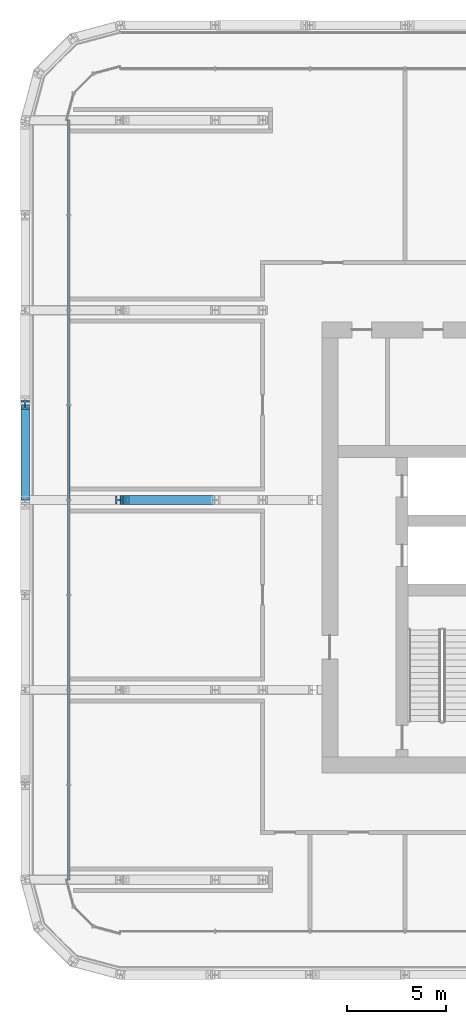
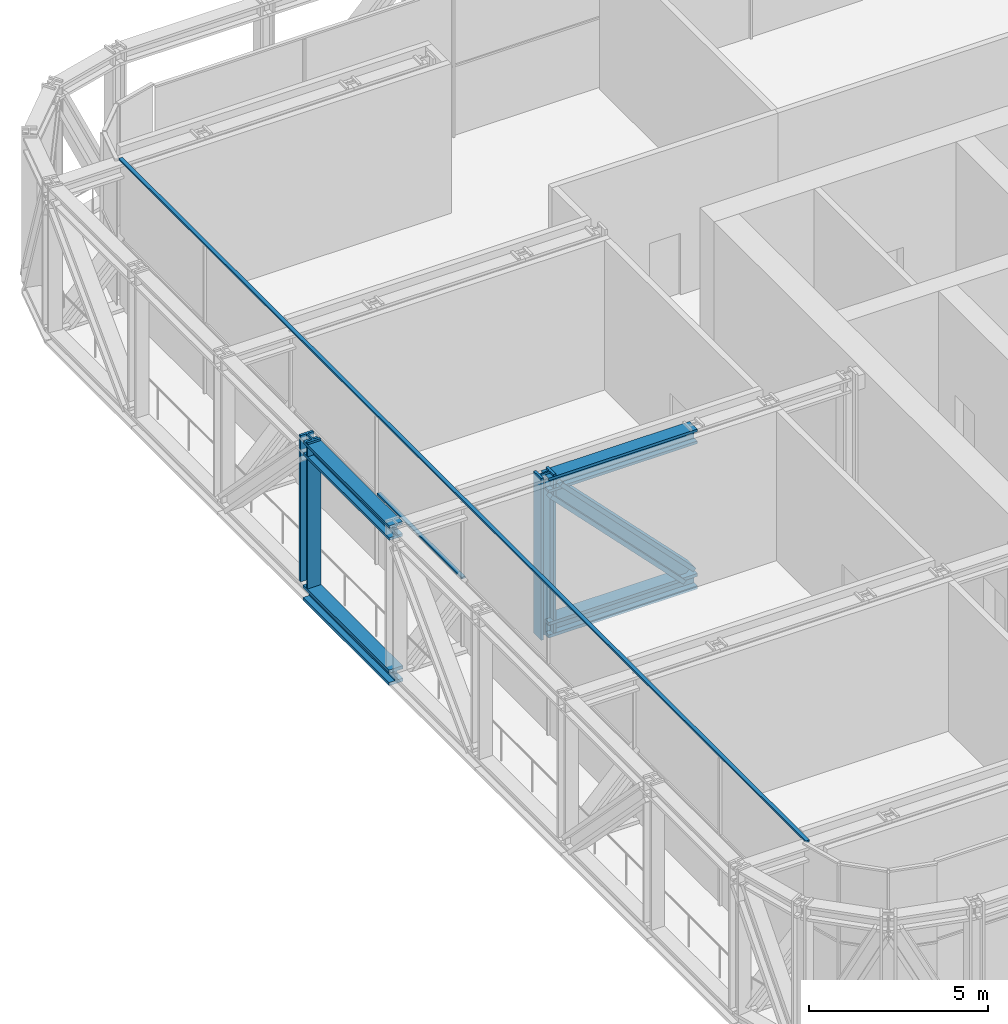
# One storey, part 5 of 25: 9 members, 1 element without a shape of its own.
"""IFC4 building model written with IfcOpenShell, lengths in metres."""

from ifc_helpers import new_model, si_unit, direction, frame, origin, origin_2d, place, context, subcontext, project, spatial, rectangle, i_section, extrude, material, layer, layer_set, material_profile, profile_set, type_object, element, aggregate, save


model = new_model("IFC4")

# Units and contexts
model_context = context("Model", 3, precision=1e-05, world=origin(), true_north=direction((0.0, 1.0)))
body_context = subcontext(model_context, "Body", "Model", "MODEL_VIEW")
ifc_project = project(units=[si_unit("LENGTHUNIT", "METRE"), si_unit("AREAUNIT", "SQUARE_METRE"), si_unit("VOLUMEUNIT", "CUBIC_METRE"), si_unit("PLANEANGLEUNIT", "RADIAN"), si_unit("MASSUNIT", "GRAM", prefix="KILO")], contexts=[model_context])

# Site, building, storey
site_placement = place(None, origin())
site = spatial("IfcSite", under=ifc_project, at=site_placement, CompositionType="ELEMENT")
building_placement = place(site_placement, origin())
building = spatial("IfcBuilding", under=site, at=building_placement, Name="Madar Terraces", CompositionType="ELEMENT")
storey_placement = place(building_placement, frame((0.0, 0.0, 113.699951171875)))
storey = spatial("IfcBuildingStorey", under=building, at=storey_placement, Name="L29", CompositionType="ELEMENT", Elevation=113.699951171875)

# Members
ifc_material_1 = material(Name="Steel ASTM A913 Grade 65", Category="steel")
ifc_material_profile_1 = material_profile(ifc_material_1, i_section(OverallWidth=0.44189453125, OverallDepth=0.53076171875, WebThickness=0.06591796875, FlangeThickness=0.105712890625, at=origin_2d()), Name="W14x605")
ifc_profile_set_1 = profile_set([ifc_material_profile_1], Name="Steel ASTM A913 Grade 65")
member_type_1 = type_object("IfcMemberType", Name="BC4 W14x605", PredefinedType="CHORD", material=ifc_profile_set_1)
for number, where, z_axis, x_axis, name in (
    (1, (0.0, 33.60009765625, -0.154541015625), (0.0, -1.0, 0.0), (1.0, 0.0, 0.0), "Exoskeleton truss ring bottom chord BC4"),
    (2, (4.800048828125, 28.800048828125, -0.154541015625), (1.0, 0.0, 0.0), (0.0, 1.0, 0.0), "Exoskeleton truss cross W28.8 bottom chord BC4"),
):
    element("IfcMember", number, at=place(storey_placement, frame(where, z_axis=z_axis, x_axis=x_axis)), inside=storey, type_object=member_type_1, Name=name, PredefinedType="CHORD", context=body_context, shape_type="SweptSolid", body=[
        extrude(i_section(OverallWidth=0.44189453125, OverallDepth=0.53076171875, WebThickness=0.06591796875, FlangeThickness=0.105712890625, at=origin_2d()), origin(), (0.0, 0.0, 1.0), 4.800048828125),
    ])

# Curtain wall, members
ifc_material_2 = material(Name="Glass, ceramic frit dark grey, with black aluminium frame", Category="aluminium")
ifc_layer = layer(ifc_material_2, 0.199951171875)
ifc_layer_set = layer_set([ifc_layer], Name="Facade curtain wall, tall glazing")
curtain_wall_type = type_object("IfcCurtainWallType", Name="Facade curtain wall, tall glazing", PredefinedType="NOTDEFINED", material=ifc_layer_set)
curtain_wall_placement = place(storey_placement, origin())
curtain_wall = element("IfcCurtainWall", 3, at=curtain_wall_placement, inside=storey, type_object=curtain_wall_type, Name="Outer skin curtain wall west bay 1", PredefinedType="NOTDEFINED")
ifc_material_3 = material(Name="Aluminium, black anodised", Category="aluminium")
ifc_material_profile_2 = material_profile(ifc_material_3, rectangle(XDim=0.1201171875, YDim=0.06005859375, at=origin_2d()), Name="Facade transom 60x120")
ifc_profile_set_2 = profile_set([ifc_material_profile_2], Name="Aluminium, black anodised")
member_type_2 = type_object("IfcMemberType", Name="Facade transom 60x120", PredefinedType="USERDEFINED", material=ifc_profile_set_2)
member_1_placement = place(storey_placement, frame((2.199951171875, 48.0, 5.070068359375), z_axis=(0.0, -1.0, 0.0), x_axis=(1.0, 0.0, 0.0)))
member_1 = element("IfcMember", 4, at=member_1_placement, type_object=member_type_2, Name="Transom 1", ObjectType="TRANSOM", PredefinedType="USERDEFINED", context=body_context, shape_type="SweptSolid", body=[
    extrude(rectangle(XDim=0.1201171875, YDim=0.06005859375, at=origin_2d()), origin(), (0.0, 0.0, 1.0), 38.39990234375),
])
member_2_placement = place(storey_placement, frame((2.199951171875, 33.570068359375, 2.400146484375), z_axis=(0.0, -1.0, 0.0), x_axis=(1.0, 0.0, 0.0)))
member_2 = element("IfcMember", 5, at=member_2_placement, type_object=member_type_2, Name="Transom 5", ObjectType="TRANSOM", PredefinedType="USERDEFINED", context=body_context, shape_type="SweptSolid", body=[
    extrude(rectangle(XDim=0.1201171875, YDim=0.06005859375, at=origin_2d()), origin(), (0.0, 0.0, 1.0), 4.739990234375),
])
aggregate(curtain_wall, [member_1, member_2])

# Members
ifc_material_4 = material(Name="Steel ASTM A913 Grade 65", Category="steel")
ifc_material_profile_3 = material_profile(ifc_material_4, i_section(OverallWidth=0.431884765625, OverallDepth=0.497802734375, WebThickness=0.0556640625, FlangeThickness=0.0888671875, at=origin_2d()), Name="W14x500")
ifc_profile_set_3 = profile_set([ifc_material_profile_3], Name="Steel ASTM A913 Grade 65")
member_type_3 = type_object("IfcMemberType", Name="TC4 W14x500", PredefinedType="CHORD", material=ifc_profile_set_3)
for number, where, z_axis, x_axis, name in (
    (6, (0.0, 33.60009765625, 4.78125), (0.0, -1.0, 0.0), (1.0, 0.0, 0.0), "Exoskeleton truss ring top chord TC4"),
    (7, (4.800048828125, 28.800048828125, 4.78125), (1.0, 0.0, 0.0), (0.0, 1.0, 0.0), "Exoskeleton truss cross W28.8 top chord TC4"),
):
    element("IfcMember", number, at=place(storey_placement, frame(where, z_axis=z_axis, x_axis=x_axis)), inside=storey, type_object=member_type_3, Name=name, PredefinedType="CHORD", context=body_context, shape_type="SweptSolid", body=[
        extrude(i_section(OverallWidth=0.431884765625, OverallDepth=0.497802734375, WebThickness=0.0556640625, FlangeThickness=0.0888671875, at=origin_2d()), origin(), (0.0, 0.0, 1.0), 4.800048828125),
    ])
ifc_material_5 = material(Name="Steel ASTM A913 Grade 65", Category="steel")
ifc_material_profile_4 = material_profile(ifc_material_5, i_section(OverallWidth=0.472412109375, OverallDepth=0.5791015625, WebThickness=0.094970703125, FlangeThickness=0.130126953125, at=origin_2d()), Name="W14x808")
ifc_profile_set_4 = profile_set([ifc_material_profile_4], Name="Steel ASTM A913 Grade 65")
member_type_4 = type_object("IfcMemberType", Name="TD4 W14x808", PredefinedType="BRACE", material=ifc_profile_set_4)
member_3_placement = place(storey_placement, frame((5.0419921875, 28.800048828125, 4.5322265625), z_axis=(0.697181267802, 0.0, -0.716894887571), x_axis=(0.0, 1.0, 0.0)))
element("IfcMember", 8, at=member_3_placement, inside=storey, type_object=member_type_4, Name="Exoskeleton truss cross W28.8 diagonal TD4", PredefinedType="BRACE", context=body_context, shape_type="SweptSolid", body=[
    extrude(i_section(OverallWidth=0.472412109375, OverallDepth=0.5791015625, WebThickness=0.094970703125, FlangeThickness=0.130126953125, at=origin_2d()), origin(), (0.0, 0.0, 1.0), 6.16748046875),
])
ifc_material_6 = material(Name="Steel ASTM A913 Grade 65", Category="steel")
ifc_material_profile_5 = material_profile(ifc_material_6, i_section(OverallWidth=0.424072265625, OverallDepth=0.47509765625, WebThickness=0.0478515625, FlangeThickness=0.0771484375, at=origin_2d()), Name="W14x426")
ifc_profile_set_5 = profile_set([ifc_material_profile_5], Name="Steel ASTM A913 Grade 65")
member_type_5 = type_object("IfcMemberType", Name="TV4 W14x426", PredefinedType="POST", material=ifc_profile_set_5)
member_4_placement = place(storey_placement, frame((0.0, 33.60009765625, 0.11083984375), z_axis=(0.0, 0.0, 1.0), x_axis=(1.0, 0.0, 0.0)))
element("IfcMember", 9, at=member_4_placement, inside=storey, type_object=member_type_5, Name="Exoskeleton truss ring post TV4", PredefinedType="POST", context=body_context, shape_type="SweptSolid", body=[
    extrude(i_section(OverallWidth=0.424072265625, OverallDepth=0.47509765625, WebThickness=0.0478515625, FlangeThickness=0.0771484375, at=origin_2d()), origin(), (0.0, 0.0, 1.0), 4.9892578125),
])
member_5_placement = place(storey_placement, frame((4.800048828125, 28.800048828125, -0.419921875), z_axis=(0.0, 0.0, 1.0), x_axis=(0.0, 1.0, 0.0)))
element("IfcMember", 10, at=member_5_placement, inside=storey, type_object=member_type_5, Name="Exoskeleton truss cross W28.8 post TV4", PredefinedType="POST", context=body_context, shape_type="SweptSolid", body=[
    extrude(i_section(OverallWidth=0.424072265625, OverallDepth=0.47509765625, WebThickness=0.0478515625, FlangeThickness=0.0771484375, at=origin_2d()), origin(), (0.0, 0.0, 1.0), 5.52001953125),
])

save(model, "model.ifc")
